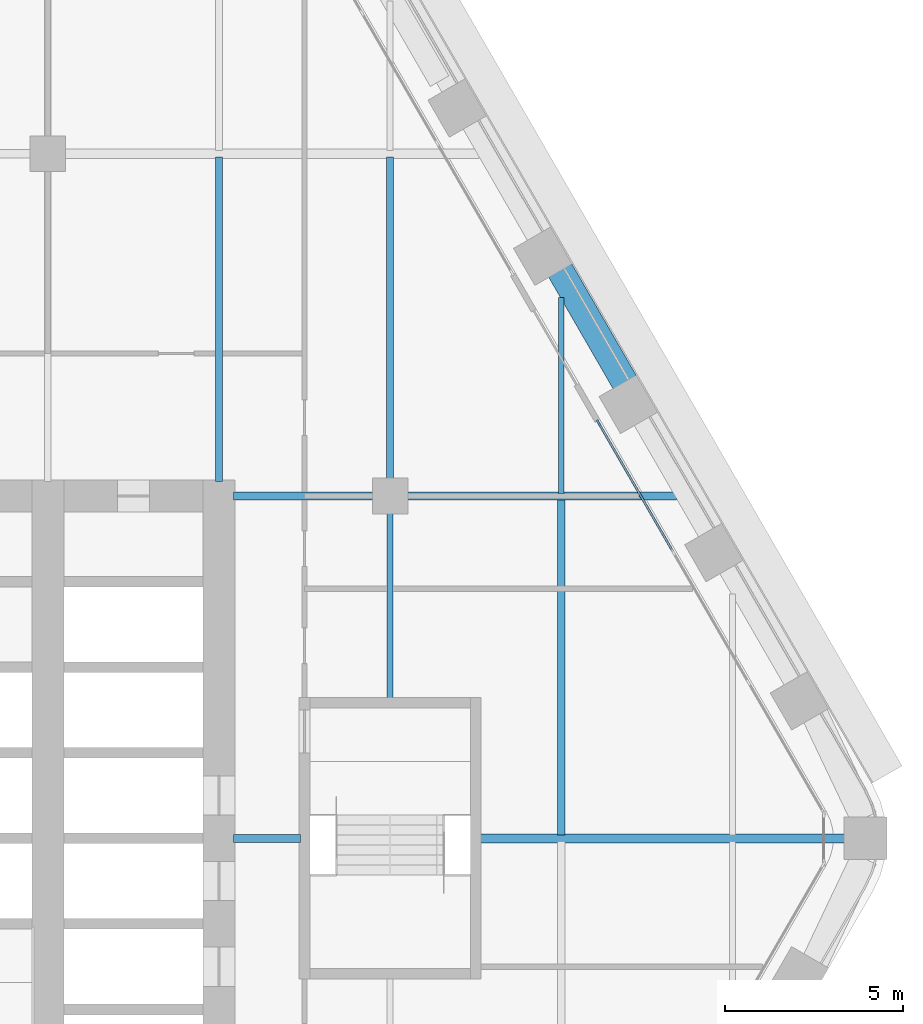
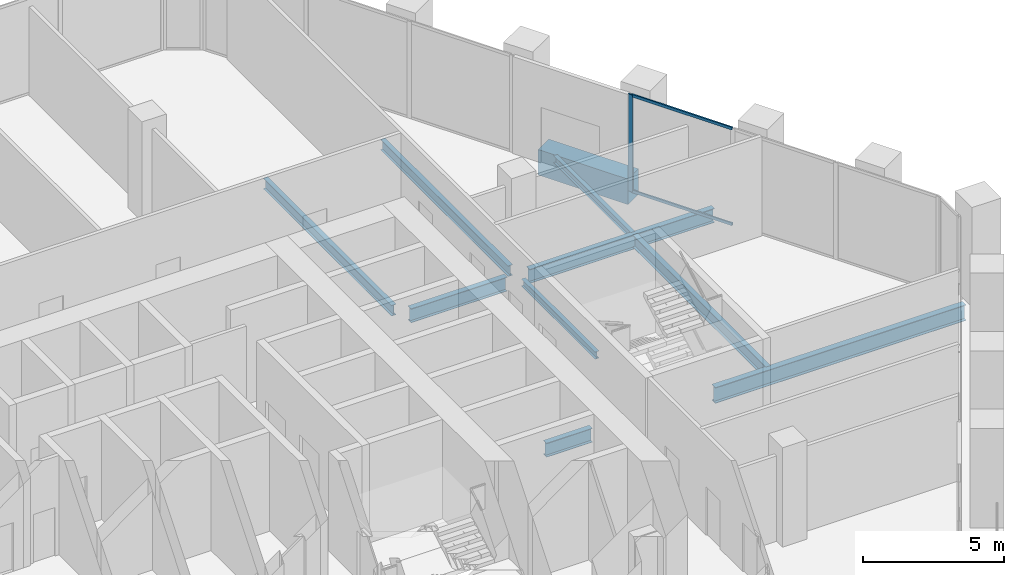
# One storey, part 9 of 27: 10 beams, 3 members, 1 element without a shape of its own.
"""IFC4 building model written with IfcOpenShell, lengths in metres."""

from ifc_helpers import new_model, si_unit, direction, frame, origin, origin_2d, place, context, subcontext, project, spatial, rectangle, i_section, extrude, material, material_profile, profile_set, type_object, element, aggregate, save


model = new_model("IFC4")

# Units and contexts
model_context = context("Model", 3, precision=1e-05, world=origin(), true_north=direction((0.0, 1.0)))
body_context = subcontext(model_context, "Body", "Model", "MODEL_VIEW")
ifc_project = project(units=[si_unit("LENGTHUNIT", "METRE"), si_unit("AREAUNIT", "SQUARE_METRE"), si_unit("VOLUMEUNIT", "CUBIC_METRE"), si_unit("PLANEANGLEUNIT", "RADIAN"), si_unit("MASSUNIT", "GRAM", prefix="KILO")], contexts=[model_context])

# Site, building, storey
site_placement = place(None, origin())
site = spatial("IfcSite", under=ifc_project, at=site_placement, CompositionType="ELEMENT")
building_placement = place(site_placement, origin())
building = spatial("IfcBuilding", under=site, at=building_placement, Name="Kolab Exchange Tower", CompositionType="ELEMENT")
storey_placement = place(building_placement, frame((0.0, 0.0, 118.39990234375)))
storey = spatial("IfcBuildingStorey", under=building, at=storey_placement, Name="L23", CompositionType="ELEMENT", Elevation=118.39990234375)

# Beams
ifc_material_1 = material(Name="Steel S355", Category="steel")
ifc_material_profile_1 = material_profile(ifc_material_1, i_section(OverallWidth=0.1650390625, OverallDepth=0.31005859375, WebThickness=0.005859375, FlangeThickness=0.009765625, at=origin_2d()), Name="W310X39")
ifc_profile_set_1 = profile_set([ifc_material_profile_1], Name="Steel S355")
beam_type_1 = type_object("IfcBeamType", Name="FLOOR BEAM W310X39", PredefinedType="BEAM", material=ifc_profile_set_1)
beam_1_placement = place(storey_placement, frame((19.199951171875, 3.909912109375, -0.35498046875), z_axis=(0.0, 1.0, 0.0), x_axis=(-1.0, 0.0, 0.0)))
element("IfcBeam", 1, at=beam_1_placement, inside=storey, type_object=beam_type_1, Name="beam/L23/fr/043", PredefinedType="BEAM", context=body_context, shape_type="SweptSolid", body=[
    extrude(i_section(OverallWidth=0.1650390625, OverallDepth=0.31005859375, WebThickness=0.005859375, FlangeThickness=0.009765625, at=origin_2d()), origin(), (0.0, 0.0, 1.0), 5.22998046875),
])
beam_2_placement = place(storey_placement, frame((24.0, 9.674072265625, -0.35498046875), z_axis=(0.0, 1.0, 0.0), x_axis=(-1.0, 0.0, 0.0)))
element("IfcBeam", 2, at=beam_2_placement, inside=storey, type_object=beam_type_1, Name="beam/L23/fr/049", PredefinedType="BEAM", context=body_context, shape_type="SweptSolid", body=[
    extrude(i_section(OverallWidth=0.1650390625, OverallDepth=0.31005859375, WebThickness=0.005859375, FlangeThickness=0.009765625, at=origin_2d()), origin(), (0.0, 0.0, 1.0), 5.49365234375),
])
ifc_material_profile_2 = material_profile(ifc_material_1, i_section(OverallWidth=0.18994140625, OverallDepth=0.45703125, WebThickness=0.009033203125, FlangeThickness=0.014404296875, at=origin_2d()), Name="W460X74")
ifc_profile_set_2 = profile_set([ifc_material_profile_2], Name="Steel S355")
beam_type_2 = type_object("IfcBeamType", Name="FLOOR BEAM W460X74", PredefinedType="BEAM", material=ifc_profile_set_2)
beam_3_placement = place(storey_placement, frame((14.39990234375, 10.010009765625, -0.428466796875), z_axis=(0.0, 1.0, 0.0), x_axis=(-1.0, 0.0, 0.0)))
element("IfcBeam", 3, at=beam_3_placement, inside=storey, type_object=beam_type_2, Name="beam/L23/fr/038", PredefinedType="BEAM", context=body_context, shape_type="SweptSolid", body=[
    extrude(i_section(OverallWidth=0.18994140625, OverallDepth=0.45703125, WebThickness=0.009033203125, FlangeThickness=0.014404296875, at=origin_2d()), origin(), (0.0, 0.0, 1.0), 9.096435546875),
])
beam_4_placement = place(storey_placement, frame((19.199951171875, 10.06005859375, -0.428466796875), z_axis=(0.0, 1.0, 0.0), x_axis=(-1.0, 0.0, 0.0)))
element("IfcBeam", 4, at=beam_4_placement, inside=storey, type_object=beam_type_2, Name="beam/L23/fr/044", PredefinedType="BEAM", context=body_context, shape_type="SweptSolid", body=[
    extrude(i_section(OverallWidth=0.18994140625, OverallDepth=0.45703125, WebThickness=0.009033203125, FlangeThickness=0.014404296875, at=origin_2d()), origin(), (0.0, 0.0, 1.0), 9.04638671875),
])
ifc_material_profile_3 = material_profile(ifc_material_1, i_section(OverallWidth=0.208984375, OverallDepth=0.532958984375, WebThickness=0.01025390625, FlangeThickness=0.015625, at=origin_2d()), Name="W530X92")
ifc_profile_set_3 = profile_set([ifc_material_profile_3], Name="Steel S355")
beam_type_3 = type_object("IfcBeamType", Name="FLOOR BEAM W530X92", PredefinedType="BEAM", material=ifc_profile_set_3)
beam_5_placement = place(storey_placement, frame((24.0, 0.0869140625, -0.46630859375), z_axis=(0.0, 1.0, 0.0), x_axis=(-1.0, 0.0, 0.0)))
element("IfcBeam", 5, at=beam_5_placement, inside=storey, type_object=beam_type_3, Name="beam/L23/fr/048", PredefinedType="BEAM", context=body_context, shape_type="SweptSolid", body=[
    extrude(i_section(OverallWidth=0.208984375, OverallDepth=0.532958984375, WebThickness=0.01025390625, FlangeThickness=0.015625, at=origin_2d()), origin(), (0.0, 0.0, 1.0), 9.43896484375),
])
ifc_material_profile_4 = material_profile(ifc_material_1, i_section(OverallWidth=0.22802734375, OverallDepth=0.60791015625, WebThickness=0.01123046875, FlangeThickness=0.017333984375, at=origin_2d()), Name="W610X113")
ifc_profile_set_4 = profile_set([ifc_material_profile_4], Name="Steel S355")
beam_type_4 = type_object("IfcBeamType", Name="FLOOR GIRDER W610X113", PredefinedType="BEAM", material=ifc_profile_set_4)
beam_6_placement = place(storey_placement, frame((14.81005859375, 0.0, -0.50390625), z_axis=(1.0, 0.0, 0.0), x_axis=(0.0, 1.0, 0.0)))
element("IfcBeam", 6, at=beam_6_placement, inside=storey, type_object=beam_type_4, Name="beam/L23/gd/015", PredefinedType="BEAM", context=body_context, shape_type="SweptSolid", body=[
    extrude(i_section(OverallWidth=0.22802734375, OverallDepth=0.60791015625, WebThickness=0.01123046875, FlangeThickness=0.017333984375, at=origin_2d()), origin(), (0.0, 0.0, 1.0), 1.8798828125),
])
beam_7_placement = place(storey_placement, frame((14.81005859375, 9.60009765625, -0.50390625), z_axis=(1.0, 0.0, 0.0), x_axis=(0.0, 1.0, 0.0)))
element("IfcBeam", 7, at=beam_7_placement, inside=storey, type_object=beam_type_4, Name="beam/L23/gd/016", PredefinedType="BEAM", context=body_context, shape_type="SweptSolid", body=[
    extrude(i_section(OverallWidth=0.22802734375, OverallDepth=0.60791015625, WebThickness=0.01123046875, FlangeThickness=0.017333984375, at=origin_2d()), origin(), (0.0, 0.0, 1.0), 3.929931640625),
])
beam_8_placement = place(storey_placement, frame((19.659912109375, 9.60009765625, -0.50390625), z_axis=(1.0, 0.0, 0.0), x_axis=(0.0, 1.0, 0.0)))
element("IfcBeam", 8, at=beam_8_placement, inside=storey, type_object=beam_type_4, Name="beam/L23/gd/018", PredefinedType="BEAM", context=body_context, shape_type="SweptSolid", body=[
    extrude(i_section(OverallWidth=0.22802734375, OverallDepth=0.60791015625, WebThickness=0.01123046875, FlangeThickness=0.017333984375, at=origin_2d()), origin(), (0.0, 0.0, 1.0), 7.571533203125),
])
ifc_material_profile_5 = material_profile(ifc_material_1, i_section(OverallWidth=0.25390625, OverallDepth=0.68408203125, WebThickness=0.012451171875, FlangeThickness=0.018798828125, at=origin_2d()), Name="W690X140")
ifc_profile_set_5 = profile_set([ifc_material_profile_5], Name="Steel S355")
beam_type_5 = type_object("IfcBeamType", Name="FLOOR GIRDER W690X140", PredefinedType="BEAM", material=ifc_profile_set_5)
beam_9_placement = place(storey_placement, frame((21.7099609375, 0.0, -0.5419921875), z_axis=(1.0, 0.0, 0.0), x_axis=(0.0, 1.0, 0.0)))
element("IfcBeam", 9, at=beam_9_placement, inside=storey, type_object=beam_type_5, Name="beam/L23/gd/019", PredefinedType="BEAM", context=body_context, shape_type="SweptSolid", body=[
    extrude(i_section(OverallWidth=0.25390625, OverallDepth=0.68408203125, WebThickness=0.012451171875, FlangeThickness=0.018798828125, at=origin_2d()), origin(), (0.0, 0.0, 1.0), 10.265869140625),
])
ifc_material_2 = material(Name="Concrete C70/85", Category="concrete")
ifc_material_profile_6 = material_profile(ifc_material_2, rectangle(XDim=0.75, YDim=1.10009765625, at=origin_2d()), Name="RC750X1100")
ifc_profile_set_6 = profile_set([ifc_material_profile_6], Name="Concrete C70/85")
beam_type_6 = type_object("IfcBeamType", Name="SPANDREL BEAM 750X1100 C70/85", PredefinedType="BEAM", material=ifc_profile_set_6)
beam_10_placement = place(storey_placement, frame((23.955322265625, 15.955322265625, -0.75), z_axis=(0.499963655964, -0.866046386007, 0.0), x_axis=(0.866046386007, 0.499963655964, 0.0)))
element("IfcBeam", 10, at=beam_10_placement, inside=storey, type_object=beam_type_6, Name="beam/L23/sp/F2-04", PredefinedType="BEAM", context=body_context, shape_type="SweptSolid", body=[
    extrude(rectangle(XDim=0.75, YDim=1.10009765625, at=origin_2d()), origin(), (0.0, 0.0, 1.0), 3.679931640625),
])

# Curtain wall, members
ifc_material_3 = material(Name="Aluminium EN AW-6063 T6", Category="aluminium")
curtain_wall_type = type_object("IfcCurtainWallType", Name="UNITISED LOWER MID ZONE CURTAIN WALL", PredefinedType="NOTDEFINED", material=ifc_material_3)
curtain_wall_placement = place(storey_placement, origin())
curtain_wall = element("IfcCurtainWall", 11, at=curtain_wall_placement, inside=storey, type_object=curtain_wall_type, Name="cw/L23/F2-2", PredefinedType="NOTDEFINED")
ifc_material_profile_7 = material_profile(ifc_material_3, rectangle(XDim=0.06005859375, YDim=0.179931640625, at=origin_2d()), Name="RECT 60X180")
ifc_profile_set_7 = profile_set([ifc_material_profile_7], Name="Aluminium EN AW-6063 T6")
member_type_1 = type_object("IfcMemberType", Name="UNITISED LOWER MID ZONE MULLION 60 X 180", PredefinedType="MULLION", material=ifc_profile_set_7)
member_1_placement = place(storey_placement, frame((25.046630859375, 11.65478515625, 0.0), z_axis=(0.0, 0.0, 1.0), x_axis=(0.866025427826, 0.499999958358, 0.0)))
member_1 = element("IfcMember", 12, at=member_1_placement, type_object=member_type_1, Name="CW2 mullion 1", PredefinedType="MULLION", context=body_context, shape_type="SweptSolid", body=[
    extrude(rectangle(XDim=0.06005859375, YDim=0.179931640625, at=origin_2d()), origin(), (0.0, 0.0, 1.0), 4.2001953125),
])
ifc_material_profile_8 = material_profile(ifc_material_3, rectangle(XDim=0.06005859375, YDim=0.1201171875, at=origin_2d()), Name="RECT 60X120")
ifc_profile_set_8 = profile_set([ifc_material_profile_8], Name="Aluminium EN AW-6063 T6")
member_type_2 = type_object("IfcMemberType", Name="UNITISED LOWER MID ZONE TRANSOM 60 X 120", PredefinedType="USERDEFINED", material=ifc_profile_set_8)
member_2_placement = place(storey_placement, frame((25.061767578125, 11.62890625, 0.030029296875), z_axis=(0.499957688808, -0.866049830784, 0.0), x_axis=(0.866049830784, 0.499957688808, 0.0)))
member_2 = element("IfcMember", 13, at=member_2_placement, type_object=member_type_2, Name="CW2 transom 1.1", ObjectType="TRANSOM", PredefinedType="USERDEFINED", context=body_context, shape_type="SweptSolid", body=[
    extrude(rectangle(XDim=0.06005859375, YDim=0.1201171875, at=origin_2d()), origin(), (0.0, 0.0, 1.0), 4.132568359375),
])
member_3_placement = place(storey_placement, frame((25.061767578125, 11.62890625, 4.170166015625), z_axis=(0.499957688808, -0.866049830784, 0.0), x_axis=(0.866049830784, 0.499957688808, 0.0)))
member_3 = element("IfcMember", 14, at=member_3_placement, type_object=member_type_2, Name="CW2 transom 1.2", ObjectType="TRANSOM", PredefinedType="USERDEFINED", context=body_context, shape_type="SweptSolid", body=[
    extrude(rectangle(XDim=0.06005859375, YDim=0.1201171875, at=origin_2d()), origin(), (0.0, 0.0, 1.0), 4.132568359375),
])
aggregate(curtain_wall, [member_1, member_2, member_3])

save(model, "model.ifc")
